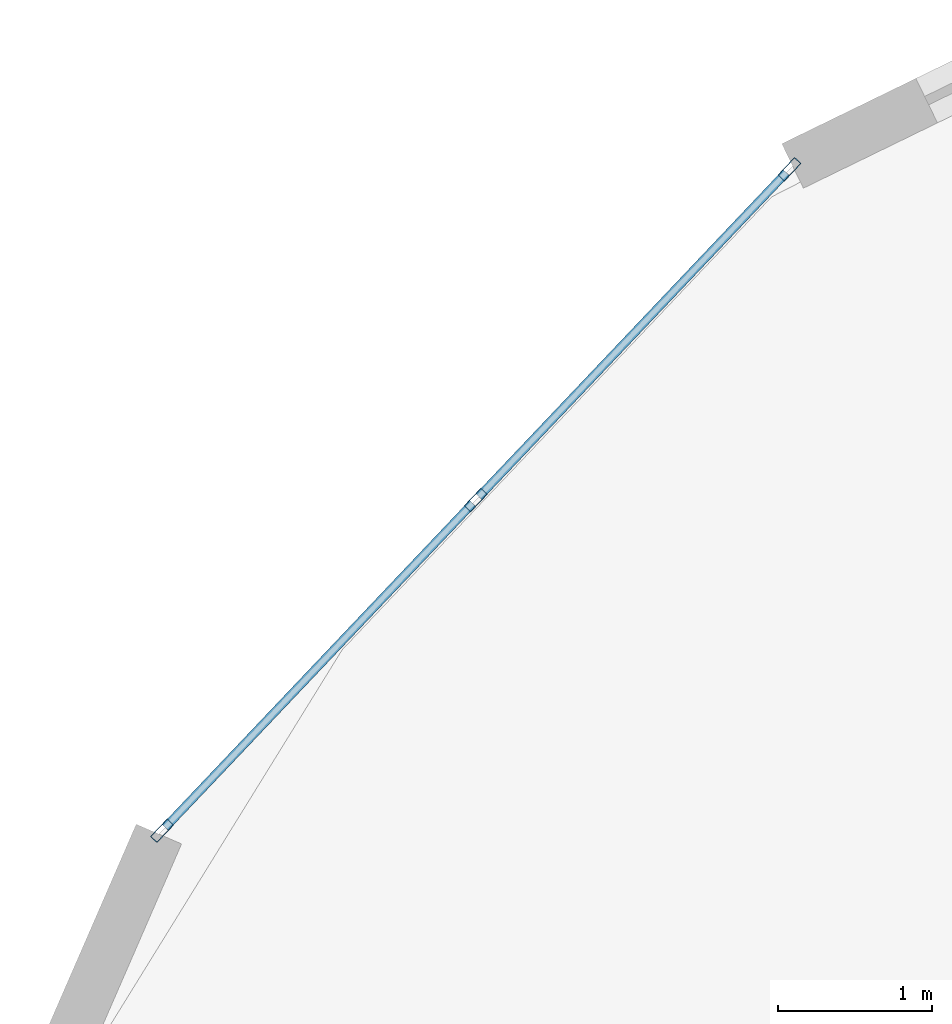
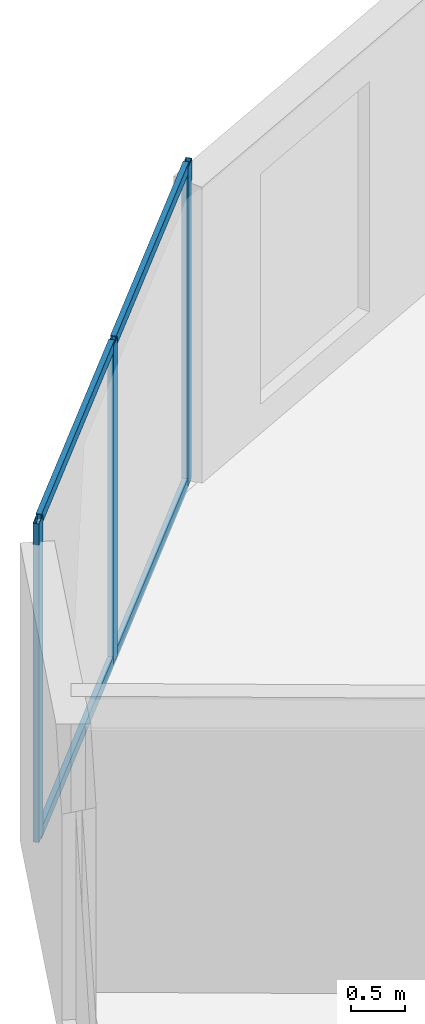
# One storey, part 14 of 23: 7 members, 1 element without a shape of its own.
"""IFC4 building model written with IfcOpenShell, lengths in metres."""

from ifc_helpers import new_model, si_unit, direction, frame, origin, origin_2d, place, context, subcontext, project, spatial, hollow_rectangle, extrude, source, transform, mapped, material, layer, layer_set, material_profile, profile_set, type_object, element, aggregate, save


model = new_model("IFC4")

# Units and contexts
model_context = context("Model", 3, precision=1e-05, world=origin(), true_north=direction((0.0, 1.0)))
body_context = subcontext(model_context, "Body", "Model", "MODEL_VIEW")
ifc_project = project(units=[si_unit("LENGTHUNIT", "METRE"), si_unit("AREAUNIT", "SQUARE_METRE"), si_unit("VOLUMEUNIT", "CUBIC_METRE"), si_unit("PLANEANGLEUNIT", "RADIAN"), si_unit("MASSUNIT", "GRAM", prefix="KILO")], contexts=[model_context])

# Site, building, storey
site_placement = place(None, origin())
site = spatial("IfcSite", under=ifc_project, at=site_placement, CompositionType="ELEMENT")
building_placement = place(site_placement, origin())
building = spatial("IfcBuilding", under=site, at=building_placement, Name="Solvirekh Grand Hotel", CompositionType="ELEMENT")
storey_placement = place(building_placement, frame((0.0, 0.0, 176.800048828125)))
storey = spatial("IfcBuildingStorey", under=building, at=storey_placement, Name="L45", CompositionType="ELEMENT", Elevation=176.800048828125)

# Curtain wall, members
ifc_material = material(Name="Anodized Bronze Aluminium 6063-T6", Category="aluminium")
ifc_layer = layer(ifc_material, 0.159912109375)
ifc_layer_set = layer_set([ifc_layer], Name="Anodized Bronze Aluminium 6063-T6")
curtain_wall_type = type_object("IfcCurtainWallType", Name="CW_Sys4_HighZoneFlushBronzeCW", PredefinedType="NOTDEFINED", material=ifc_layer_set)
curtain_wall_placement = place(storey_placement, origin())
curtain_wall = element("IfcCurtainWall", 1, at=curtain_wall_placement, inside=storey, type_object=curtain_wall_type, Name="L45 unitised bronze-glass curtain wall CW-L45-C11", PredefinedType="NOTDEFINED")
ifc_material_profile_1 = material_profile(ifc_material, hollow_rectangle(XDim=0.054931640625, YDim=0.1201171875, WallThickness=0.00390625, at=origin_2d()), Name="ALU RHS 120X55X4")
ifc_profile_set_1 = profile_set([ifc_material_profile_1], Name="Anodized Bronze Aluminium 6063-T6")
member_type_1 = type_object("IfcMemberType", Name="CWTransom_Sys4", PredefinedType="USERDEFINED", material=ifc_profile_set_1)
shared_shape_1 = source(origin(), body_context, "Body", "SweptSolid", [
    extrude(hollow_rectangle(XDim=0.054931640625, YDim=0.1201171875, WallThickness=0.00390625, at=origin_2d()), origin(), (0.0, 0.0, 1.0), 2.893310546875),
])
member_1_placement = place(storey_placement, frame((-14.04931640625, 17.49853515625, 0.02734375), z_axis=(-0.688126053056, -0.725591162505, 0.0), x_axis=(0.725591162505, -0.688126053056, 0.0)))
member_1 = element("IfcMember", 2, at=member_1_placement, type_object=member_type_1, Name="U04 transom 1.1", ObjectType="TRANSOM", PredefinedType="USERDEFINED", context=body_context, shape_type="MappedRepresentation", body=[
    mapped(shared_shape_1, transform((0.0, 0.0, 0.0), x_axis=(1.0, 0.0, 0.0), y_axis=(0.0, 1.0, 0.0), z_axis=(0.0, 0.0, 1.0), scale=1.0)),
])
member_2_placement = place(storey_placement, frame((-14.04931640625, 17.49853515625, 3.572509765625), z_axis=(-0.688126053056, -0.725591162505, 0.0), x_axis=(0.725591162505, -0.688126053056, 0.0)))
member_2 = element("IfcMember", 3, at=member_2_placement, type_object=member_type_1, Name="U04 transom 1.2", ObjectType="TRANSOM", PredefinedType="USERDEFINED", context=body_context, shape_type="MappedRepresentation", body=[
    mapped(shared_shape_1, transform((0.0, 0.0, 0.0), x_axis=(1.0, 0.0, 0.0), y_axis=(0.0, 1.0, 0.0), z_axis=(0.0, 0.0, 1.0), scale=1.0)),
])
member_3_placement = place(storey_placement, frame((-16.08154296875, 15.355712890625, 0.02734375), z_axis=(-0.68821260471, -0.725509070046, 0.0), x_axis=(0.725509070046, -0.68821260471, 0.0)))
member_3 = element("IfcMember", 4, at=member_3_placement, type_object=member_type_1, Name="U04 transom 2.1", ObjectType="TRANSOM", PredefinedType="USERDEFINED", context=body_context, shape_type="MappedRepresentation", body=[
    mapped(shared_shape_1, transform((0.0, 0.0, 0.0), x_axis=(1.0, 0.0, 0.0), y_axis=(0.0, 1.0, 0.0), z_axis=(0.0, 0.0, 1.0), scale=1.0)),
])
member_4_placement = place(storey_placement, frame((-16.08154296875, 15.355712890625, 3.572509765625), z_axis=(-0.68821260471, -0.725509070046, 0.0), x_axis=(0.725509070046, -0.68821260471, 0.0)))
member_4 = element("IfcMember", 5, at=member_4_placement, type_object=member_type_1, Name="U04 transom 2.2", ObjectType="TRANSOM", PredefinedType="USERDEFINED", context=body_context, shape_type="MappedRepresentation", body=[
    mapped(shared_shape_1, transform((0.0, 0.0, 0.0), x_axis=(1.0, 0.0, 0.0), y_axis=(0.0, 1.0, 0.0), z_axis=(0.0, 0.0, 1.0), scale=1.0)),
])
ifc_material_profile_2 = material_profile(ifc_material, hollow_rectangle(XDim=0.06005859375, YDim=0.159912109375, WallThickness=0.0048828125, at=origin_2d()), Name="ALU RHS 160X60X5")
ifc_profile_set_2 = profile_set([ifc_material_profile_2], Name="Anodized Bronze Aluminium 6063-T6")
member_type_2 = type_object("IfcMemberType", Name="CWMullion_Sys4", PredefinedType="MULLION", material=ifc_profile_set_2)
shared_shape_2 = source(origin(), body_context, "Body", "SweptSolid", [
    extrude(hollow_rectangle(XDim=0.06005859375, YDim=0.159912109375, WallThickness=0.0048828125, at=origin_2d()), origin(), (0.0, 0.0, 1.0), 3.599853515625),
])
member_5_placement = place(storey_placement, frame((-14.028564453125, 17.520263671875, 0.0), z_axis=(0.0, 0.0, 1.0), x_axis=(0.725547377968, -0.688172218506, 0.0)))
member_5 = element("IfcMember", 6, at=member_5_placement, type_object=member_type_2, Name="U04 mullion 1", PredefinedType="MULLION", context=body_context, shape_type="MappedRepresentation", body=[
    mapped(shared_shape_2, transform((0.0, 0.0, 0.0), x_axis=(1.0, 0.0, 0.0), y_axis=(0.0, 1.0, 0.0), z_axis=(0.0, 0.0, 1.0), scale=1.0)),
])
member_6_placement = place(storey_placement, frame((-16.06103515625, 15.37744140625, 0.0), z_axis=(0.0, 0.0, 1.0), x_axis=(0.725547377968, -0.688172218506, 0.0)))
member_6 = element("IfcMember", 7, at=member_6_placement, type_object=member_type_2, Name="U04 mullion 2", PredefinedType="MULLION", context=body_context, shape_type="MappedRepresentation", body=[
    mapped(shared_shape_2, transform((0.0, 0.0, 0.0), x_axis=(1.0, 0.0, 0.0), y_axis=(0.0, 1.0, 0.0), z_axis=(0.0, 0.0, 1.0), scale=1.0)),
])
member_7_placement = place(storey_placement, frame((-18.09326171875, 13.23486328125, 0.0), z_axis=(0.0, 0.0, 1.0), x_axis=(0.725547377968, -0.688172218506, 0.0)))
member_7 = element("IfcMember", 8, at=member_7_placement, type_object=member_type_2, Name="U04 mullion 3", PredefinedType="MULLION", context=body_context, shape_type="MappedRepresentation", body=[
    mapped(shared_shape_2, transform((0.0, 0.0, 0.0), x_axis=(1.0, 0.0, 0.0), y_axis=(0.0, 1.0, 0.0), z_axis=(0.0, 0.0, 1.0), scale=1.0)),
])
aggregate(curtain_wall, [member_5, member_6, member_7, member_1, member_2, member_3, member_4])

save(model, "model.ifc")
